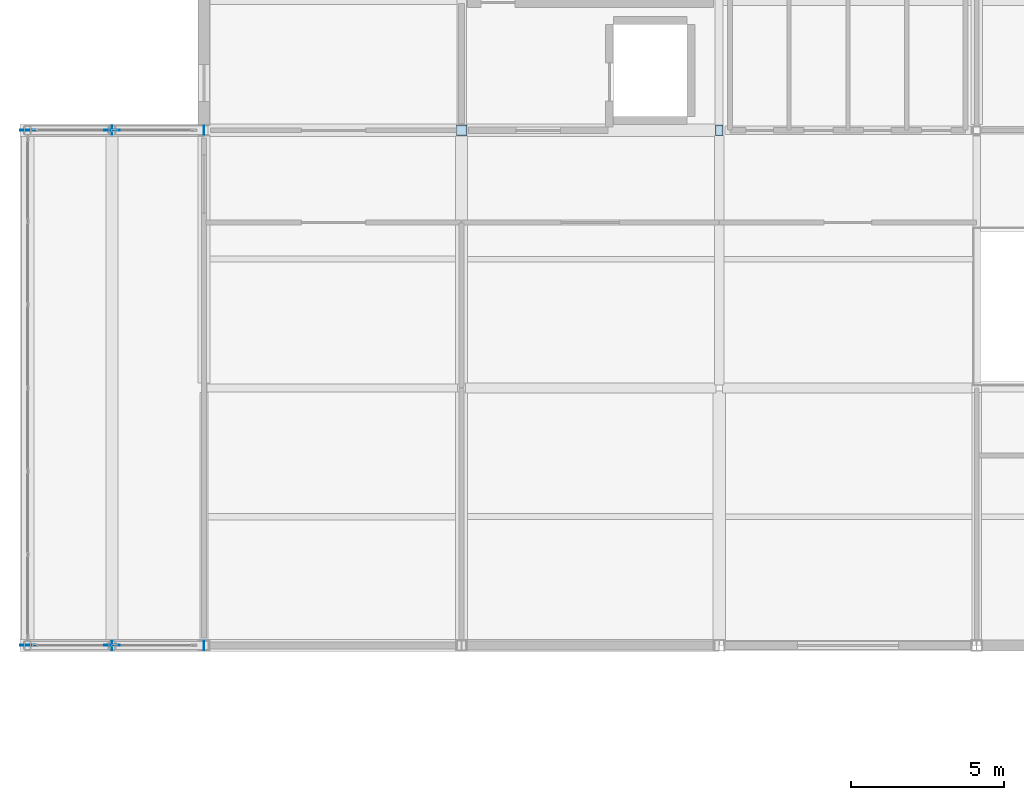
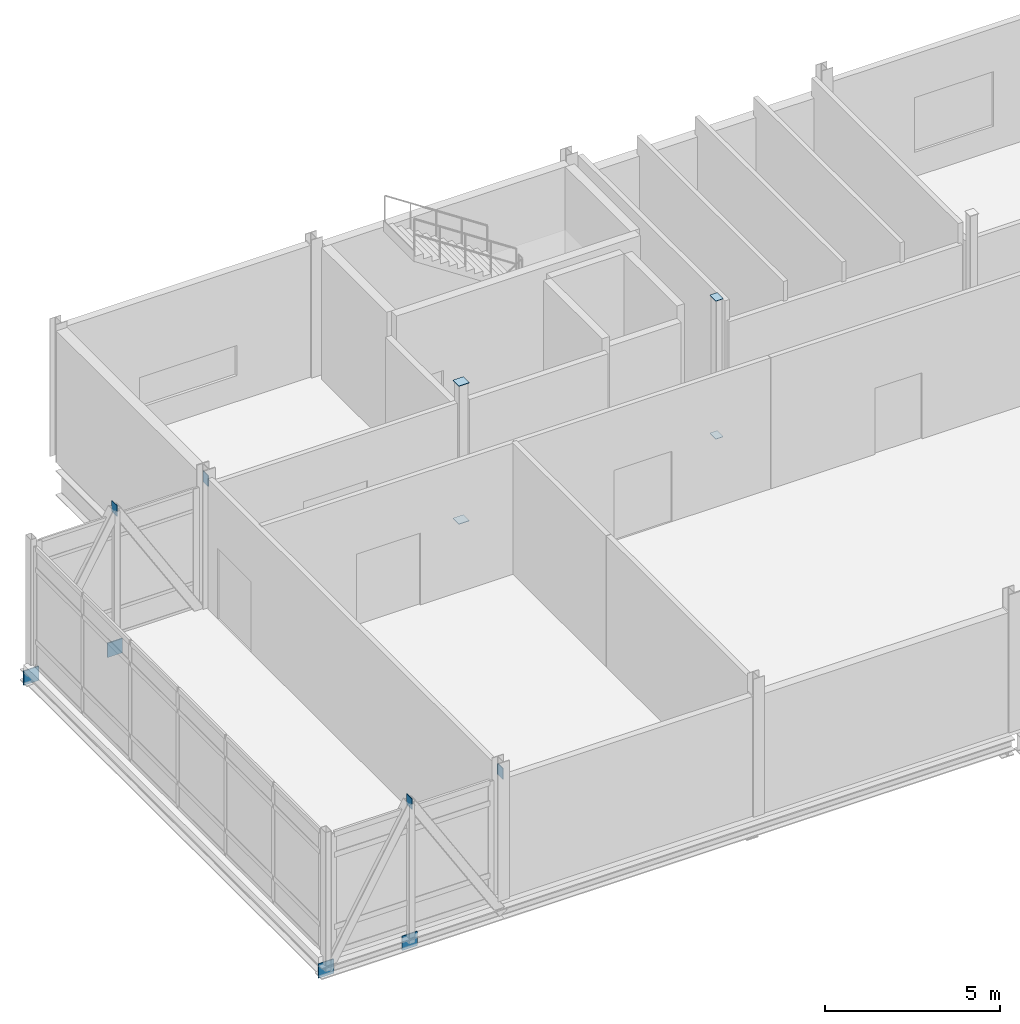
# One storey, part 20 of 45: 12 plates.
"""IFC4 building model written with IfcOpenShell, lengths in metres."""

from ifc_helpers import new_model, si_unit, direction, frame, origin, origin_2d, place, context, subcontext, project, spatial, rectangle, extrude, material, layer, layer_set, type_object, element, save


model = new_model("IFC4")

# Units and contexts
model_context = context("Model", 3, precision=1e-05, world=origin(), true_north=direction((0.0, 1.0)))
body_context = subcontext(model_context, "Body", "Model", "MODEL_VIEW")
ifc_project = project(units=[si_unit("LENGTHUNIT", "METRE"), si_unit("AREAUNIT", "SQUARE_METRE"), si_unit("VOLUMEUNIT", "CUBIC_METRE"), si_unit("PLANEANGLEUNIT", "RADIAN"), si_unit("MASSUNIT", "GRAM", prefix="KILO")], contexts=[model_context])

# Site, building, storey
site_placement = place(None, origin())
site = spatial("IfcSite", under=ifc_project, at=site_placement, CompositionType="ELEMENT")
building_placement = place(site_placement, origin())
building = spatial("IfcBuilding", under=site, at=building_placement, Name="Calvrana Isthmian Art Gallery", CompositionType="ELEMENT")
storey_placement = place(building_placement, frame((0.0, 0.0, 19.800048828125)))
storey = spatial("IfcBuildingStorey", under=building, at=storey_placement, Name="L04", CompositionType="ELEMENT", Elevation=19.800048828125)

# Plates
ifc_material = material(Name="Steel ASTM A572 Gr 50", Category="steel")
ifc_layer_1 = layer(ifc_material, 0.01611328125, Name="Steel ASTM A572 Gr 50")
ifc_layer_set_1 = layer_set([ifc_layer_1], Name="Steel ASTM A572 Gr 50")
plate_type_1 = type_object("IfcPlateType", Name="PL-CAP-16", PredefinedType="SHEET", material=ifc_layer_set_1)
for number, where, z_axis, x_axis, name in (
    (1, (30.0, 38.39990234375, -0.008056640625), (0.0, 0.0, 1.0), (1.0, 0.0, 0.0), "Hollow section end cap plate 049"),
    (2, (30.0, 38.39990234375, 4.7919921875), (0.0, 0.0, 1.0), (1.0, 0.0, 0.0), "Hollow section end cap plate 050"),
):
    element("IfcPlate", number, at=place(storey_placement, frame(where, z_axis=z_axis, x_axis=x_axis)), inside=storey, type_object=plate_type_1, Name=name, PredefinedType="SHEET", context=body_context, shape_type="SweptSolid", body=[
        extrude(rectangle(XDim=0.3447265625, YDim=0.3447265625, at=origin_2d()), origin(), (0.0, 0.0, 1.0), 0.01611328125),
    ])
for number, where, z_axis, x_axis, name in (
    (3, (38.39990234375, 38.39990234375, -0.008056640625), (0.0, 0.0, 1.0), (1.0, 0.0, 0.0), "Hollow section end cap plate 069"),
    (4, (38.39990234375, 38.39990234375, 4.7919921875), (0.0, 0.0, 1.0), (1.0, 0.0, 0.0), "Hollow section end cap plate 070"),
):
    element("IfcPlate", number, at=place(storey_placement, frame(where, z_axis=z_axis, x_axis=x_axis)), inside=storey, type_object=plate_type_1, Name=name, PredefinedType="SHEET", context=body_context, shape_type="SweptSolid", body=[
        extrude(rectangle(XDim=0.2431640625, YDim=0.3447265625, at=origin_2d()), origin(), (0.0, 0.0, 1.0), 0.01611328125),
    ])
ifc_layer_2 = layer(ifc_material, 0.031982421875, Name="Steel ASTM A572 Gr 50")
ifc_layer_set_2 = layer_set([ifc_layer_2], Name="Steel ASTM A572 Gr 50")
plate_type_2 = type_object("IfcPlateType", Name="PL-GUSSET-32", PredefinedType="USERDEFINED", material=ifc_layer_set_2)
for number, where, z_axis, x_axis, name in (
    (5, (15.85009765625, 21.60009765625, -0.717041015625), (0.0, 0.0, 1.0), (1.0, 0.0, 0.0), "Lookout truss gusset 1-1"),
    (6, (18.60009765625, 21.60009765625, -0.717041015625), (0.0, 0.0, 1.0), (1.0, 0.0, 0.0), "Lookout truss gusset 1-2"),
    (7, (15.85009765625, 38.39990234375, -0.717041015625), (0.0, 0.0, 1.0), (1.0, 0.0, 0.0), "Lookout truss gusset 2-1"),
    (8, (18.60009765625, 38.39990234375, -0.717041015625), (0.0, 0.0, 1.0), (1.0, 0.0, 0.0), "Lookout truss gusset 2-2"),
):
    element("IfcPlate", number, at=place(storey_placement, frame(where, z_axis=z_axis, x_axis=x_axis)), inside=storey, type_object=plate_type_2, Name=name, ObjectType="GUSSET PLATE", PredefinedType="USERDEFINED", context=body_context, shape_type="SweptSolid", body=[
        extrude(rectangle(XDim=0.5, YDim=0.031982421875, at=origin_2d()), origin(), (0.0, 0.0, 1.0), 0.5),
    ])
ifc_layer_3 = layer(ifc_material, 0.02392578125, Name="Steel ASTM A572 Gr 50")
ifc_layer_set_3 = layer_set([ifc_layer_3], Name="Steel ASTM A572 Gr 50")
plate_type_3 = type_object("IfcPlateType", Name="PL-STIFF-24", PredefinedType="SHEET", material=ifc_layer_set_3)
for number, where, z_axis, x_axis, name in (
    (9, (18.60009765625, 21.60009765625, 4.18310546875), (0.0, 0.0, 1.0), (1.0, 0.0, 0.0), "Lookout chord stiffener 1-1"),
    (10, (21.60009765625, 21.60009765625, 4.18310546875), (0.0, 0.0, 1.0), (1.0, 0.0, 0.0), "Lookout chord stiffener 1-2"),
    (11, (18.60009765625, 38.39990234375, 4.18310546875), (0.0, 0.0, 1.0), (1.0, 0.0, 0.0), "Lookout chord stiffener 2-1"),
    (12, (21.60009765625, 38.39990234375, 4.18310546875), (0.0, 0.0, 1.0), (1.0, 0.0, 0.0), "Lookout chord stiffener 2-2"),
):
    element("IfcPlate", number, at=place(storey_placement, frame(where, z_axis=z_axis, x_axis=x_axis)), inside=storey, type_object=plate_type_3, Name=name, PredefinedType="SHEET", context=body_context, shape_type="SweptSolid", body=[
        extrude(rectangle(XDim=0.02392578125, YDim=0.300048828125, at=origin_2d()), origin(), (0.0, 0.0, 1.0), 0.3798828125),
    ])

save(model, "model.ifc")
